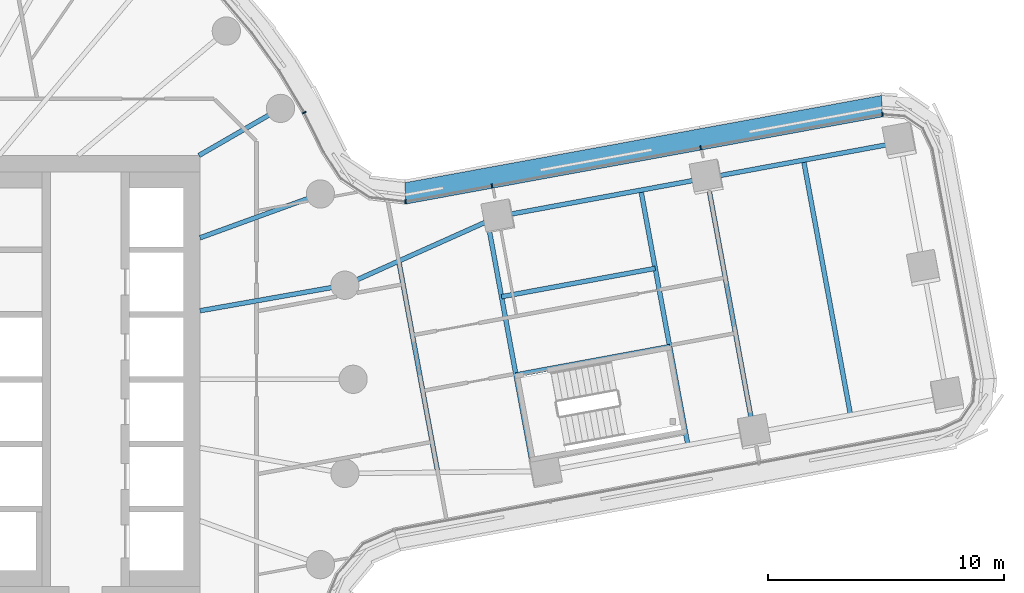
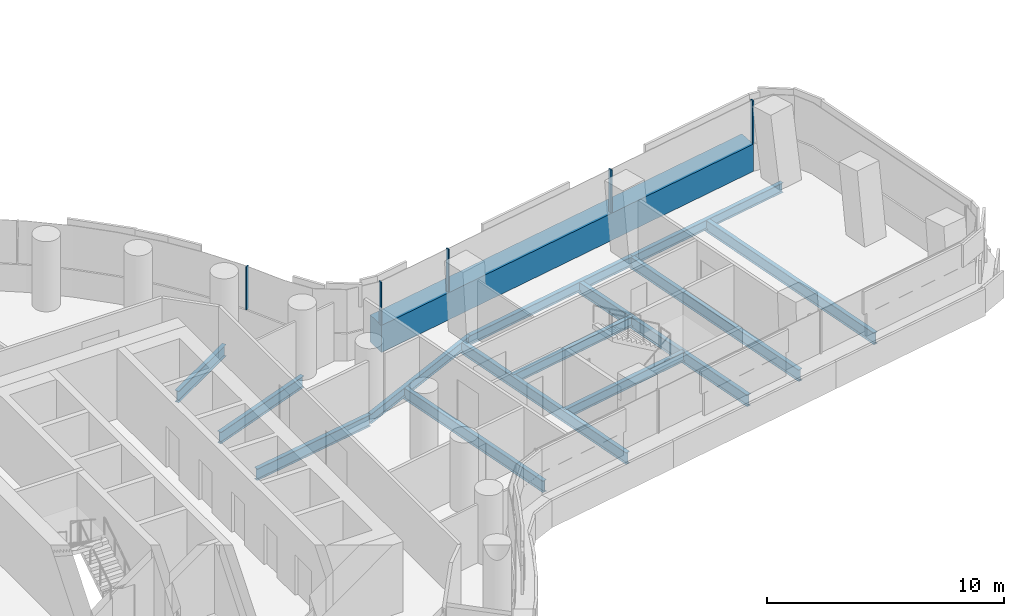
# One storey, part 13 of 33: 13 beams, 6 members, 2 elements without a shape of their own.
"""IFC4 building model written with IfcOpenShell, lengths in metres."""

from ifc_helpers import new_model, si_unit, direction, frame, origin, origin_2d, place, context, subcontext, project, spatial, polyline, rectangle, i_section, outline, extrude, material, layer, layer_set, material_profile, profile_set, type_object, element, aggregate, save


model = new_model("IFC4")

# Units and contexts
model_context = context("Model", 3, precision=1e-05, world=origin(), true_north=direction((0.0, 1.0)))
body_context = subcontext(model_context, "Body", "Model", "MODEL_VIEW")
ifc_project = project(units=[si_unit("LENGTHUNIT", "METRE"), si_unit("AREAUNIT", "SQUARE_METRE"), si_unit("VOLUMEUNIT", "CUBIC_METRE"), si_unit("PLANEANGLEUNIT", "RADIAN"), si_unit("MASSUNIT", "GRAM", prefix="KILO")], contexts=[model_context])

# Site, building, storey
site_placement = place(None, origin())
site = spatial("IfcSite", under=ifc_project, at=site_placement, CompositionType="ELEMENT")
building_placement = place(site_placement, origin())
building = spatial("IfcBuilding", under=site, at=building_placement, Name="Tamarind Cross Interchange Tower", CompositionType="ELEMENT")
storey_placement = place(building_placement, frame((0.0, 0.0, 71.5)))
storey = spatial("IfcBuildingStorey", under=building, at=storey_placement, Name="L16", CompositionType="ELEMENT", Elevation=71.5)

# Beams
ifc_material_1 = material(Name="Steel Q355B", Category="steel")
ifc_material_profile_1 = material_profile(ifc_material_1, i_section(OverallWidth=0.198974609375, OverallDepth=0.49609375, WebThickness=0.009033203125, FlangeThickness=0.013916015625, FilletRadius=0.012939453125, at=origin_2d()), Name="HN 496x199x9x14")
ifc_profile_set_1 = profile_set([ifc_material_profile_1], Name="Steel Q355B")
beam_type_1 = type_object("IfcBeamType", Name="Composite beam HN 496x199x9x14 Q355B", PredefinedType="BEAM", material=ifc_profile_set_1)
beam_1_placement = place(storey_placement, frame((46.219482421875, 10.058837890625, -0.387939453125), z_axis=(-0.983421064017, -0.181336733309, 0.0), x_axis=(0.181336733309, -0.983421064017, 0.0)))
element("IfcBeam", 1, at=beam_1_placement, inside=storey, type_object=beam_type_1, Name="Beam E-edgeep2", PredefinedType="BEAM", context=body_context, shape_type="SweptSolid", body=[
    extrude(i_section(OverallWidth=0.198974609375, OverallDepth=0.49609375, WebThickness=0.009033203125, FlangeThickness=0.013916015625, FilletRadius=0.012939453125, at=origin_2d()), origin(), (0.0, 0.0, 1.0), 8.341796875),
])
beam_2_placement = place(storey_placement, frame((38.015869140625, 8.546142578125, -0.387939453125), z_axis=(-0.983420231604, -0.181341247573, 0.0), x_axis=(0.181341247573, -0.983420231604, 0.0)))
element("IfcBeam", 2, at=beam_2_placement, inside=storey, type_object=beam_type_1, Name="Beam E-edgeep3", PredefinedType="BEAM", context=body_context, shape_type="SweptSolid", body=[
    extrude(i_section(OverallWidth=0.198974609375, OverallDepth=0.49609375, WebThickness=0.009033203125, FlangeThickness=0.013916015625, FilletRadius=0.012939453125, at=origin_2d()), origin(), (0.0, 0.0, 1.0), 9.0),
])
beam_3_placement = place(storey_placement, frame((29.1650390625, 6.9140625, -0.387939453125), z_axis=(-0.912513726226, -0.40904608475, 0.0), x_axis=(0.40904608475, -0.912513726226, 0.0)))
element("IfcBeam", 3, at=beam_3_placement, inside=storey, type_object=beam_type_1, Name="Beam E-linkep", PredefinedType="BEAM", context=body_context, shape_type="SweptSolid", body=[
    extrude(i_section(OverallWidth=0.198974609375, OverallDepth=0.49609375, WebThickness=0.009033203125, FlangeThickness=0.013916015625, FilletRadius=0.012939453125, at=origin_2d()), origin(), (0.0, 0.0, 1.0), 7.138916015625),
])
for number, where, z_axis, x_axis, name in (
    (4, (29.911865234375, 0.18798828125, -0.387939453125), (0.983422984703, 0.181326316781, 0.0), (-0.181326316781, 0.983422984703, 0.0), "Beam E-tr1"),
    (5, (29.2998046875, 3.5068359375, -0.387939453125), (0.983416422781, 0.181361901743, 0.0), (-0.181361901743, 0.983416422781, 0.0), "Beam E-stripp"),
):
    element("IfcBeam", number, at=place(storey_placement, frame(where, z_axis=z_axis, x_axis=x_axis)), inside=storey, type_object=beam_type_1, Name=name, PredefinedType="BEAM", context=body_context, shape_type="SweptSolid", body=[
        extrude(i_section(OverallWidth=0.198974609375, OverallDepth=0.49609375, WebThickness=0.009033203125, FlangeThickness=0.013916015625, FilletRadius=0.012939453125, at=origin_2d()), origin(), (0.0, 0.0, 1.0), 6.63525390625),
    ])
ifc_material_profile_2 = material_profile(ifc_material_1, i_section(OverallWidth=0.198974609375, OverallDepth=0.595947265625, WebThickness=0.010009765625, FlangeThickness=0.014892578125, FilletRadius=0.012939453125, at=origin_2d()), Name="HN 596x199x10x15")
ifc_profile_set_2 = profile_set([ifc_material_profile_2], Name="Steel Q355B")
beam_type_2 = type_object("IfcBeamType", Name="Composite beam HN 596x199x10x15 Q355B", PredefinedType="BEAM", material=ifc_profile_set_2)
beam_4_placement = place(storey_placement, frame((22.650634765625, 3.993896484375, -0.43798828125), z_axis=(-0.984809127561, -0.173640382036, 0.0), x_axis=(0.173640382036, -0.984809127561, 0.0)))
element("IfcBeam", 6, at=beam_4_placement, inside=storey, type_object=beam_type_2, Name="Beam HH01", PredefinedType="BEAM", context=body_context, shape_type="SweptSolid", body=[
    extrude(i_section(OverallWidth=0.198974609375, OverallDepth=0.595947265625, WebThickness=0.010009765625, FlangeThickness=0.014892578125, FilletRadius=0.012939453125, at=origin_2d()), origin(), (0.0, 0.0, 1.0), 6.24560546875),
])
beam_5_placement = place(storey_placement, frame((21.613037109375, 7.866455078125, -0.43798828125), z_axis=(-0.939701685589, -0.341995236956, 0.0), x_axis=(0.341995236956, -0.939701685589, 0.0)))
element("IfcBeam", 7, at=beam_5_placement, inside=storey, type_object=beam_type_2, Name="Beam HH02", PredefinedType="BEAM", context=body_context, shape_type="SweptSolid", body=[
    extrude(i_section(OverallWidth=0.198974609375, OverallDepth=0.595947265625, WebThickness=0.010009765625, FlangeThickness=0.014892578125, FilletRadius=0.012939453125, at=origin_2d()), origin(), (0.0, 0.0, 1.0), 5.441162109375),
])
beam_6_placement = place(storey_placement, frame((19.918701171875, 11.5, -0.43798828125), z_axis=(-0.866026010844, -0.49999894854, 0.0), x_axis=(0.49999894854, -0.866026010844, 0.0)))
element("IfcBeam", 8, at=beam_6_placement, inside=storey, type_object=beam_type_2, Name="Beam HH03", PredefinedType="BEAM", context=body_context, shape_type="SweptSolid", body=[
    extrude(i_section(OverallWidth=0.198974609375, OverallDepth=0.595947265625, WebThickness=0.010009765625, FlangeThickness=0.014892578125, FilletRadius=0.012939453125, at=origin_2d()), origin(), (0.0, 0.0, 1.0), 4.0),
])
ifc_material_profile_3 = material_profile(ifc_material_1, i_section(OverallWidth=0.199951171875, OverallDepth=0.60009765625, WebThickness=0.010986328125, FlangeThickness=0.01708984375, FilletRadius=0.012939453125, at=origin_2d()), Name="HN 600x200x11x17")
ifc_profile_set_3 = profile_set([ifc_material_profile_3], Name="Steel Q355B")
beam_type_3 = type_object("IfcBeamType", Name="Composite beam HN 600x200x11x17 Q355B", PredefinedType="BEAM", material=ifc_profile_set_3)
beam_7_placement = place(storey_placement, frame((30.667236328125, -3.908935546875, -0.43994140625), z_axis=(-0.181336223109, 0.983421158095, 0.0), x_axis=(-0.983421158095, -0.181336223109, 0.0)))
element("IfcBeam", 9, at=beam_7_placement, inside=storey, type_object=beam_type_3, Name="Beam E-x298", PredefinedType="BEAM", context=body_context, shape_type="SweptSolid", body=[
    extrude(i_section(OverallWidth=0.199951171875, OverallDepth=0.60009765625, WebThickness=0.010986328125, FlangeThickness=0.01708984375, FilletRadius=0.012939453125, at=origin_2d()), origin(), (0.0, 0.0, 1.0), 10.797607421875),
])
for number, where, z_axis, x_axis, name in (
    (10, (37.207763671875, -2.788330078125, -0.43994140625), (-0.181330202258, 0.98342226828, 0.0), (-0.98342226828, -0.181330202258, 0.0), "Beam E-x364"),
    (11, (40.010498046875, -2.271484375, -0.43994140625), (-0.181330202258, 0.98342226828, 0.0), (-0.98342226828, -0.181330202258, 0.0), "Beam E-x393"),
):
    element("IfcBeam", number, at=place(storey_placement, frame(where, z_axis=z_axis, x_axis=x_axis)), inside=storey, type_object=beam_type_3, Name=name, PredefinedType="BEAM", context=body_context, shape_type="SweptSolid", body=[
        extrude(i_section(OverallWidth=0.199951171875, OverallDepth=0.60009765625, WebThickness=0.010986328125, FlangeThickness=0.01708984375, FilletRadius=0.012939453125, at=origin_2d()), origin(), (0.0, 0.0, 1.0), 11.0),
    ])
beam_8_placement = place(storey_placement, frame((26.5927734375, -3.9521484375, -0.43994140625), z_axis=(-0.181334071397, 0.983421554854, 0.0), x_axis=(-0.983421554854, -0.181334071397, 0.0)))
element("IfcBeam", 12, at=beam_8_placement, inside=storey, type_object=beam_type_3, Name="Beam E-x258", PredefinedType="BEAM", context=body_context, shape_type="SweptSolid", body=[
    extrude(i_section(OverallWidth=0.199951171875, OverallDepth=0.60009765625, WebThickness=0.010986328125, FlangeThickness=0.01708984375, FilletRadius=0.012939453125, at=origin_2d()), origin(), (0.0, 0.0, 1.0), 9.122802734375),
])
beam_9_placement = place(storey_placement, frame((44.112548828125, -1.51513671875, -0.43994140625), z_axis=(-0.181351666994, 0.983418310221, 0.0), x_axis=(-0.983418310221, -0.181351666994, 0.0)))
element("IfcBeam", 13, at=beam_9_placement, inside=storey, type_object=beam_type_3, Name="Beam E-x435", PredefinedType="BEAM", context=body_context, shape_type="SweptSolid", body=[
    extrude(i_section(OverallWidth=0.199951171875, OverallDepth=0.60009765625, WebThickness=0.010986328125, FlangeThickness=0.01708984375, FilletRadius=0.012939453125, at=origin_2d()), origin(), (0.0, 0.0, 1.0), 11.0),
])

# Curtain wall, members
ifc_material_2 = material(Name="Aluminium 6063-T6", Category="aluminium")
ifc_layer = layer(ifc_material_2, 0.159912109375)
ifc_layer_set = layer_set([ifc_layer], Name="Aluminium 6063-T6")
curtain_wall_type = type_object("IfcCurtainWallType", Name="Office curtain wall, 9.0 m bays", PredefinedType="NOTDEFINED", material=ifc_layer_set)
curtain_wall_1_placement = place(storey_placement, origin())
curtain_wall_1 = element("IfcCurtainWall", 14, at=curtain_wall_1_placement, inside=storey, type_object=curtain_wall_type, Name="CWS-L16-09", PredefinedType="NOTDEFINED")
ifc_material_3 = material(Name="Aluminium and insulated spandrel panel", Category="aluminium")
member_type_1 = type_object("IfcMemberType", Name="Floor-edge blade transom", PredefinedType="USERDEFINED", material=ifc_material_3)
member_1_placement = place(storey_placement, origin())
member_1 = element("IfcMember", 15, at=member_1_placement, type_object=member_type_1, Name="CWT-L16-09", ObjectType="TRANSOM", PredefinedType="USERDEFINED", context=body_context, shape_type="SweptSolid", body=[
    extrude(outline(polyline([(45.47119140625, 11.14111328125), (25.23046875, 7.435546875), (25.201904296875, 8.34521484375), (45.425048828125, 12.047607421875), (45.47119140625, 11.14111328125)])), origin(), (0.0, 0.0, 1.0), 1.39990234375),
])
ifc_material_profile_4 = material_profile(ifc_material_2, rectangle(XDim=0.06005859375, YDim=0.159912109375, at=origin_2d()), Name="Mullion CW1")
ifc_profile_set_4 = profile_set([ifc_material_profile_4], Name="Aluminium 6063-T6")
member_type_2 = type_object("IfcMemberType", Name="Mullion CW1", PredefinedType="MULLION", material=ifc_profile_set_4)
member_2_placement = place(storey_placement, frame((45.466064453125, 11.241943359375, 1.39990234375), z_axis=(0.0, 0.0, 1.0), x_axis=(-0.998709279834, -0.050791479342, 0.0)))
member_2 = element("IfcMember", 16, at=member_2_placement, type_object=member_type_2, Name="CWM-L16-09-00", PredefinedType="MULLION", context=body_context, shape_type="SweptSolid", body=[
    extrude(rectangle(XDim=0.06005859375, YDim=0.159912109375, at=origin_2d()), origin(), (0.0, 0.0, 1.0), 2.210205078125),
])
member_3_placement = place(storey_placement, frame((37.750732421875, 9.829345703125, 1.39990234375), z_axis=(0.0, 0.0, 1.0), x_axis=(-0.98365083434, -0.180086190758, 0.0)))
member_3 = element("IfcMember", 17, at=member_3_placement, type_object=member_type_2, Name="CWM-L16-09-01", PredefinedType="MULLION", context=body_context, shape_type="SweptSolid", body=[
    extrude(rectangle(XDim=0.06005859375, YDim=0.159912109375, at=origin_2d()), origin(), (0.0, 0.0, 1.0), 2.210205078125),
])
member_4_placement = place(storey_placement, frame((28.896240234375, 8.208251953125, 1.39990234375), z_axis=(0.0, 0.0, 1.0), x_axis=(-0.98365083434, -0.180086190758, 0.0)))
member_4 = element("IfcMember", 18, at=member_4_placement, type_object=member_type_2, Name="CWM-L16-09-02", PredefinedType="MULLION", context=body_context, shape_type="SweptSolid", body=[
    extrude(rectangle(XDim=0.06005859375, YDim=0.159912109375, at=origin_2d()), origin(), (0.0, 0.0, 1.0), 2.210205078125),
])
aggregate(curtain_wall_1, [member_2, member_3, member_4, member_1])

curtain_wall_2_placement = place(storey_placement, origin())
curtain_wall_2 = element("IfcCurtainWall", 19, at=curtain_wall_2_placement, inside=storey, type_object=curtain_wall_type, Name="CWS-L16-10", PredefinedType="NOTDEFINED")
member_5_placement = place(storey_placement, frame((25.227294921875, 7.53662109375, 1.39990234375), z_axis=(0.0, 0.0, 1.0), x_axis=(-0.999503286216, -0.03151477182, 0.0)))
member_5 = element("IfcMember", 20, at=member_5_placement, type_object=member_type_2, Name="CWM-L16-10-00", PredefinedType="MULLION", context=body_context, shape_type="SweptSolid", body=[
    extrude(rectangle(XDim=0.06005859375, YDim=0.159912109375, at=origin_2d()), origin(), (0.0, 0.0, 1.0), 2.210205078125),
])
member_6_placement = place(storey_placement, frame((20.92626953125, 11.31982421875, 1.39990234375), z_axis=(0.0, 0.0, 1.0), x_axis=(-0.443058811505, 0.896492548518, 0.0)))
member_6 = element("IfcMember", 21, at=member_6_placement, type_object=member_type_2, Name="CWM-L16-10-01", PredefinedType="MULLION", context=body_context, shape_type="SweptSolid", body=[
    extrude(rectangle(XDim=0.06005859375, YDim=0.159912109375, at=origin_2d()), origin(), (0.0, 0.0, 1.0), 2.210205078125),
])
aggregate(curtain_wall_2, [member_5, member_6])

save(model, "model.ifc")
